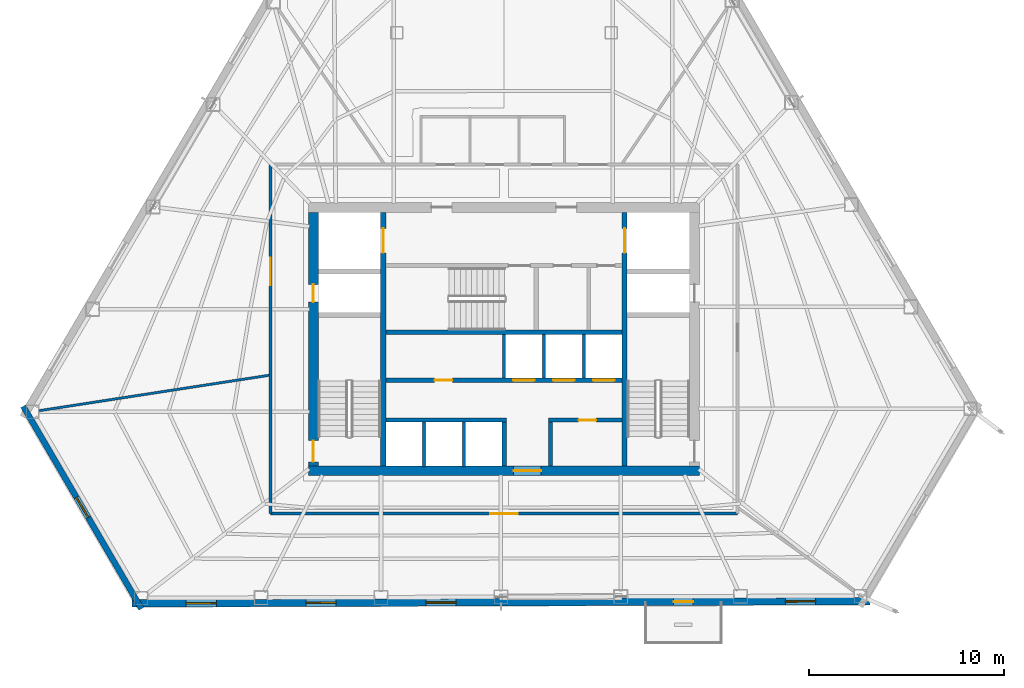
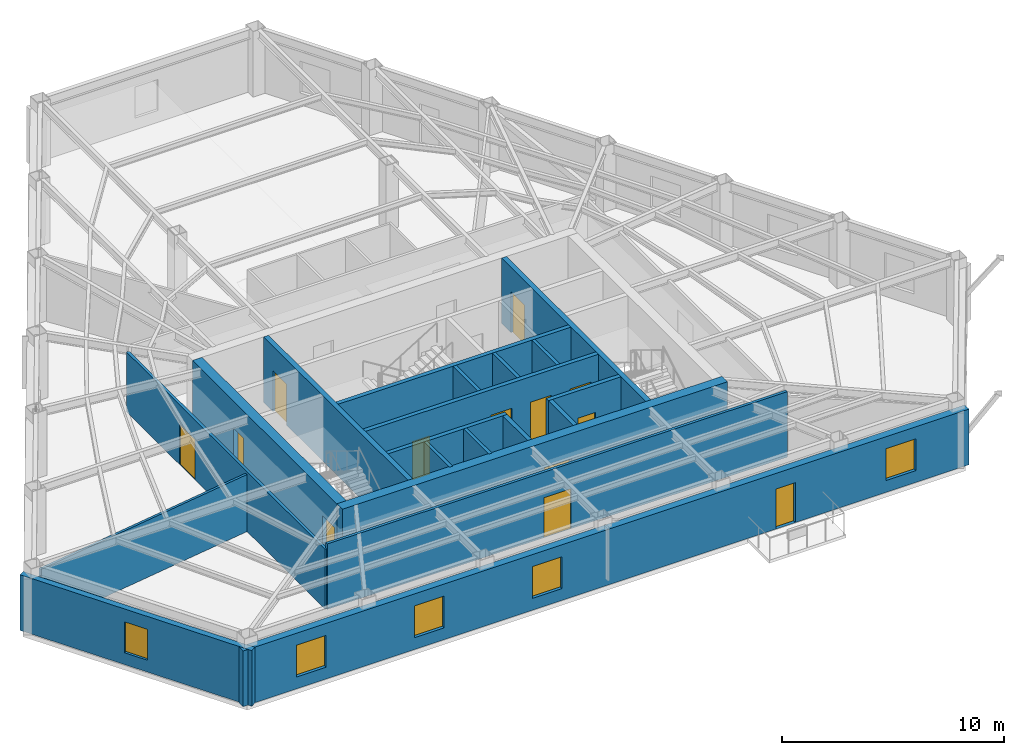
# One storey, part 6 of 10: 20 walls, 13 doors, 5 windows, 18 openings.
"""IFC4 building model written with IfcOpenShell, lengths in metres."""

from ifc_helpers import new_model, si_unit, direction, frame, frame_2d, origin, place, context, subcontext, project, spatial, rectangle, extrude, material, layer, layer_set, type_object, element, fill, save


model = new_model("IFC4")

# Units and contexts
model_context = context("Model", 3, precision=1e-05, world=origin(), true_north=direction((0.0, 1.0)))
body_context = subcontext(model_context, "Body", "Model", "MODEL_VIEW")
ifc_project = project(units=[si_unit("LENGTHUNIT", "METRE"), si_unit("AREAUNIT", "SQUARE_METRE"), si_unit("VOLUMEUNIT", "CUBIC_METRE"), si_unit("PLANEANGLEUNIT", "RADIAN"), si_unit("MASSUNIT", "GRAM", prefix="KILO")], contexts=[model_context])

# Site, building, storey
site_placement = place(None, origin())
site = spatial("IfcSite", under=ifc_project, at=site_placement, CompositionType="ELEMENT")
building_placement = place(site_placement, origin())
building = spatial("IfcBuilding", under=site, at=building_placement, Name="Kavelnor Concourse Tower", CompositionType="ELEMENT")
storey_placement = place(building_placement, frame((0.0, 0.0, 135.550048828125)))
storey = spatial("IfcBuildingStorey", under=building, at=storey_placement, Name="L34", CompositionType="ELEMENT", Elevation=135.550048828125)

# Wall, opening, door
ifc_material_1 = material(Name="Concrete C60/75", Category="concrete")
ifc_layer_1 = layer(ifc_material_1, 0.5, Name="Concrete C60/75")
ifc_layer_set_1 = layer_set([ifc_layer_1], Name="Concrete C60/75")
wall_type_1 = type_object("IfcWallType", Name="WL-CORE-Z2-500", PredefinedType="SOLIDWALL", material=ifc_layer_set_1)
wall_1_placement = place(storey_placement, frame((27.97998046875, 9.35009765625, 0.0), z_axis=(0.0, 0.0, 1.0), x_axis=(1.0, 0.0, 0.0)))
wall_1 = element("IfcWall", 1, at=wall_1_placement, inside=storey, type_object=wall_type_1, Name="L34 Central Core South Shear Wall", PredefinedType="SOLIDWALL", context=body_context, shape_type="SweptSolid", body=[
    extrude(rectangle(XDim=20.0400390625, YDim=0.5, at=frame_2d((10.02001953125, 0.0))), origin(), (0.0, 0.0, 1.0), 3.599853515625),
])
opening_1_placement = place(wall_1_placement, frame((10.52001953125, 0.0, 0.0)))
opening_1 = element("IfcOpeningElement", 2, at=opening_1_placement, cuts=wall_1, Name="Opening SD-140", PredefinedType="OPENING", context=body_context, shape_type="SweptSolid", body=[
    extrude(rectangle(XDim=1.39990234375, YDim=2.199951171875, at=frame_2d((0.699951171875, 1.10009765625))), frame((0.0, 0.260009765625, 0.0), z_axis=(0.0, -1.0, 0.0), x_axis=(1.0, 0.0, 0.0)), (0.0, 0.0, 1.0), 0.52001953125),
])
ifc_material_2 = material(Name="Solid-core hardwood timber", Category="wood")
door_type_1 = type_object("IfcDoorType", Name="DR-SUITE-ENTRY-1400", OperationType="NOTDEFINED", PredefinedType="DOOR", material=ifc_material_2)
door_1_placement = place(opening_1_placement, origin())
door_1 = element("IfcDoor", 3, at=door_1_placement, inside=storey, type_object=door_type_1, Name="L34 Passenger Lift Lobby Entry Door", OperationType="SINGLE_SWING_LEFT", OverallHeight=2.199951171875, OverallWidth=1.39990234375, PredefinedType="DOOR", context=body_context, shape_type="SweptSolid", body=[
    extrude(rectangle(XDim=1.39990234375, YDim=2.199951171875, at=frame_2d((0.699951171875, 1.10009765625))), frame((0.0, 0.02490234375, 0.0), z_axis=(0.0, -1.0, 0.0), x_axis=(1.0, 0.0, 0.0)), (0.0, 0.0, 1.0), 0.050048828125),
])
fill(opening_1, door_1)

# Wall, openings, doors
wall_2_placement = place(storey_placement, frame((28.22998046875, 9.60009765625, 0.0), z_axis=(0.0, 0.0, 1.0), x_axis=(0.0, 1.0, 0.0)))
wall_2 = element("IfcWall", 4, at=wall_2_placement, inside=storey, type_object=wall_type_1, Name="L34 Central Core West Shear Wall", PredefinedType="SOLIDWALL", context=body_context, shape_type="SweptSolid", body=[
    extrude(rectangle(XDim=13.0, YDim=0.5, at=frame_2d((6.5, 0.0))), origin(), (0.0, 0.0, 1.0), 3.599853515625),
])
opening_2_placement = place(wall_2_placement, frame((0.199951171875, 0.0, 0.0)))
opening_2 = element("IfcOpeningElement", 5, at=opening_2_placement, cuts=wall_2, Name="Opening FD-110", PredefinedType="OPENING", context=body_context, shape_type="SweptSolid", body=[
    extrude(rectangle(XDim=1.10009765625, YDim=2.14990234375, at=frame_2d((0.550048828125, 1.074951171875))), frame((0.0, 0.260009765625, 0.0), z_axis=(0.0, -1.0, 0.0), x_axis=(1.0, 0.0, 0.0)), (0.0, 0.0, 1.0), 0.52001953125),
])
opening_3_placement = place(wall_2_placement, frame((8.39990234375, 0.0, 0.0)))
opening_3 = element("IfcOpeningElement", 6, at=opening_3_placement, cuts=wall_2, Name="Opening FD-090", PredefinedType="OPENING", context=body_context, shape_type="SweptSolid", body=[
    extrude(rectangle(XDim=0.89990234375, YDim=2.10009765625, at=frame_2d((0.449951171875, 1.050048828125))), frame((0.0, 0.260009765625, 0.0), z_axis=(0.0, -1.0, 0.0), x_axis=(1.0, 0.0, 0.0)), (0.0, 0.0, 1.0), 0.52001953125),
])
ifc_material_3 = material(Name="Steel Grade 350", Category="steel")
door_type_2 = type_object("IfcDoorType", Name="DR-RISER-FIRE-900", OperationType="NOTDEFINED", PredefinedType="DOOR", material=ifc_material_3)
door_2_placement = place(opening_3_placement, origin())
door_2 = element("IfcDoor", 7, at=door_2_placement, inside=storey, type_object=door_type_2, Name="L34 West Riser Access Door", OperationType="SINGLE_SWING_RIGHT", OverallHeight=2.10009765625, OverallWidth=0.89990234375, PredefinedType="DOOR", context=body_context, shape_type="SweptSolid", body=[
    extrude(rectangle(XDim=0.89990234375, YDim=2.10009765625, at=frame_2d((0.449951171875, 1.050048828125))), frame((0.0, 0.02490234375, 0.0), z_axis=(0.0, -1.0, 0.0), x_axis=(1.0, 0.0, 0.0)), (0.0, 0.0, 1.0), 0.050048828125),
])
fill(opening_3, door_2)
door_type_3 = type_object("IfcDoorType", Name="DR-STAIR-FIRE-1100", OperationType="NOTDEFINED", PredefinedType="DOOR", material=ifc_material_3)
door_3_placement = place(opening_2_placement, origin())
door_3 = element("IfcDoor", 8, at=door_3_placement, inside=storey, type_object=door_type_3, Name="L34 Stair ST1 Fire Door", OperationType="SINGLE_SWING_LEFT", OverallHeight=2.14990234375, OverallWidth=1.10009765625, PredefinedType="DOOR", context=body_context, shape_type="SweptSolid", body=[
    extrude(rectangle(XDim=1.10009765625, YDim=2.14990234375, at=frame_2d((0.550048828125, 1.074951171875))), frame((0.0, 0.02490234375, 0.0), z_axis=(0.0, -1.0, 0.0), x_axis=(1.0, 0.0, 0.0)), (0.0, 0.0, 1.0), 0.050048828125),
])
fill(opening_2, door_3)

# Wall, opening, window
ifc_material_4 = material(Name="Buff ironspot clay face brick masonry", Category="masonry")
ifc_layer_2 = layer(ifc_material_4, 0.300048828125, Name="Buff ironspot clay face brick masonry")
ifc_layer_set_2 = layer_set([ifc_layer_2], Name="Buff ironspot clay face brick masonry")
wall_type_2 = type_object("IfcWallType", Name="WL-EXT-BUFF-BRICK-FOLD-300", PredefinedType="STANDARD", material=ifc_layer_set_2)
wall_3_placement = place(storey_placement, frame((19.4111328125, 2.271484375, 0.0), z_axis=(0.0, 0.0, 1.0), x_axis=(-0.504147492574, 0.863617569142, 0.0)))
wall_3 = element("IfcWall", 9, at=wall_3_placement, inside=storey, type_object=wall_type_2, Name="L34 Exterior Brick Facade Wall E2", PredefinedType="STANDARD", context=body_context, shape_type="SweptSolid", body=[
    extrude(rectangle(XDim=12.023193359375, YDim=0.300048828125, at=frame_2d((6.01171875, 0.0))), origin(), (0.0, 0.0, 1.0), 3.058837890625),
])
opening_4_placement = place(wall_3_placement, frame((5.411865234375, 0.0, 0.64990234375)))
opening_4 = element("IfcOpeningElement", 10, at=opening_4_placement, cuts=wall_3, Name="Opening W-05", PredefinedType="OPENING", context=body_context, shape_type="SweptSolid", body=[
    extrude(rectangle(XDim=1.199951171875, YDim=1.699951171875, at=frame_2d((0.60009765625, 0.85009765625))), frame((0.0, 0.16015625, 0.0), z_axis=(0.0, -1.0, 0.0), x_axis=(1.0, 0.0, 0.0)), (0.0, 0.0, 1.0), 0.320068359375),
])
ifc_material_5 = material(Name="Double low-E argon insulated glazing", Category="glass")
window_type_1 = type_object("IfcWindowType", Name="WIN-FOLD-1200", PartitioningType="SINGLE_PANEL", PredefinedType="WINDOW", material=ifc_material_5)
window_1_placement = place(opening_4_placement, origin())
window_1 = element("IfcWindow", 11, at=window_1_placement, inside=storey, type_object=window_type_1, Name="L34 Chamfer-Fold Facet Window C1", OverallHeight=1.699951171875, OverallWidth=1.199951171875, PartitioningType="SINGLE_PANEL", PredefinedType="WINDOW", context=body_context, shape_type="SweptSolid", body=[
    extrude(rectangle(XDim=1.199951171875, YDim=1.699951171875, at=frame_2d((0.60009765625, 0.85009765625))), frame((0.0, 0.030029296875, 0.0), z_axis=(0.0, -1.0, 0.0), x_axis=(1.0, 0.0, 0.0)), (0.0, 0.0, 1.0), 0.06005859375),
])
fill(opening_4, window_1)

# Wall, openings, door, windows
ifc_material_6 = material(Name="Red-ochre clay face brick masonry", Category="masonry")
ifc_layer_3 = layer(ifc_material_6, 0.3798828125, Name="Red-ochre clay face brick masonry")
ifc_layer_set_3 = layer_set([ifc_layer_3], Name="Red-ochre clay face brick masonry")
wall_type_3 = type_object("IfcWallType", Name="WL-EXT-RED-BRICK-PIER-380", PredefinedType="STANDARD", material=ifc_layer_set_3)
wall_4_placement = place(storey_placement, frame((56.755859375, 2.660400390625, 0.0), z_axis=(0.0, 0.0, 1.0), x_axis=(-0.999995554523, -0.002981766906, 0.0)))
wall_4 = element("IfcWall", 12, at=wall_4_placement, inside=storey, type_object=wall_type_3, Name="L34 Exterior Brick Facade Wall E3", PredefinedType="STANDARD", context=body_context, shape_type="SweptSolid", body=[
    extrude(rectangle(XDim=37.82763671875, YDim=0.3798828125, at=frame_2d((18.913818359375, 0.0))), origin(), (0.0, 0.0, 1.0), 3.058837890625),
])
opening_5_placement = place(wall_4_placement, frame((9.056884765625, 0.0, 0.0)))
opening_5 = element("IfcOpeningElement", 13, at=opening_5_placement, cuts=wall_4, Name="Opening BD-100", PredefinedType="OPENING", context=body_context, shape_type="SweptSolid", body=[
    extrude(rectangle(XDim=1.0, YDim=2.199951171875, at=frame_2d((0.5, 1.10009765625))), frame((0.0, 0.199951171875, 0.0), z_axis=(0.0, -1.0, 0.0), x_axis=(1.0, 0.0, 0.0)), (0.0, 0.0, 1.0), 0.39990234375),
])
opening_6_placement = place(wall_4_placement, frame((33.5029296875, 0.0, 0.64990234375)))
opening_6 = element("IfcOpeningElement", 14, at=opening_6_placement, cuts=wall_4, Name="Opening W-02", PredefinedType="OPENING", context=body_context, shape_type="SweptSolid", body=[
    extrude(rectangle(XDim=1.550048828125, YDim=1.75, at=frame_2d((0.77490234375, 0.875))), frame((0.0, 0.199951171875, 0.0), z_axis=(0.0, -1.0, 0.0), x_axis=(1.0, 0.0, 0.0)), (0.0, 0.0, 1.0), 0.39990234375),
])
opening_7_placement = place(wall_4_placement, frame((27.356689453125, 0.0, 0.64990234375)))
opening_7 = element("IfcOpeningElement", 15, at=opening_7_placement, cuts=wall_4, Name="Opening W-02", PredefinedType="OPENING", context=body_context, shape_type="SweptSolid", body=[
    extrude(rectangle(XDim=1.550048828125, YDim=1.75, at=frame_2d((0.77490234375, 0.875))), frame((0.0, 0.199951171875, 0.0), z_axis=(0.0, -1.0, 0.0), x_axis=(1.0, 0.0, 0.0)), (0.0, 0.0, 1.0), 0.39990234375),
])
opening_8_placement = place(wall_4_placement, frame((21.210693359375, 0.0, 0.64990234375)))
opening_8 = element("IfcOpeningElement", 16, at=opening_8_placement, cuts=wall_4, Name="Opening W-02", PredefinedType="OPENING", context=body_context, shape_type="SweptSolid", body=[
    extrude(rectangle(XDim=1.550048828125, YDim=1.75, at=frame_2d((0.77490234375, 0.875))), frame((0.0, 0.199951171875, 0.0), z_axis=(0.0, -1.0, 0.0), x_axis=(1.0, 0.0, 0.0)), (0.0, 0.0, 1.0), 0.39990234375),
])
opening_9_placement = place(wall_4_placement, frame((2.771728515625, 0.0, 0.64990234375)))
opening_9 = element("IfcOpeningElement", 17, at=opening_9_placement, cuts=wall_4, Name="Opening W-02", PredefinedType="OPENING", context=body_context, shape_type="SweptSolid", body=[
    extrude(rectangle(XDim=1.550048828125, YDim=1.75, at=frame_2d((0.77490234375, 0.875))), frame((0.0, 0.199951171875, 0.0), z_axis=(0.0, -1.0, 0.0), x_axis=(1.0, 0.0, 0.0)), (0.0, 0.0, 1.0), 0.39990234375),
])
ifc_material_7 = material(Name="Anodised aluminium 6063-T6", Category="aluminium")
door_type_4 = type_object("IfcDoorType", Name="DR-BALCONY-EXT-1000", OperationType="NOTDEFINED", PredefinedType="DOOR", material=ifc_material_7)
door_4_placement = place(opening_5_placement, origin())
door_4 = element("IfcDoor", 18, at=door_4_placement, inside=storey, type_object=door_type_4, Name="L34 Tree Balcony 1 Glazed Door", OperationType="SINGLE_SWING_LEFT", OverallHeight=2.199951171875, OverallWidth=1.0, PredefinedType="DOOR", context=body_context, shape_type="SweptSolid", body=[
    extrude(rectangle(XDim=1.0, YDim=2.199951171875, at=frame_2d((0.5, 1.10009765625))), frame((0.0, 0.02490234375, 0.0), z_axis=(0.0, -1.0, 0.0), x_axis=(1.0, 0.0, 0.0)), (0.0, 0.0, 1.0), 0.050048828125),
])
fill(opening_5, door_4)
window_type_2 = type_object("IfcWindowType", Name="WIN-PIER-Z2-1650", PartitioningType="SINGLE_PANEL", PredefinedType="WINDOW", material=ifc_material_5)
window_2_placement = place(opening_6_placement, origin())
window_2 = element("IfcWindow", 19, at=window_2_placement, inside=storey, type_object=window_type_2, Name="L34 Deep-Set Brick Pier Window F1-B0", OverallHeight=1.75, OverallWidth=1.550048828125, PartitioningType="SINGLE_PANEL", PredefinedType="WINDOW", context=body_context, shape_type="SweptSolid", body=[
    extrude(rectangle(XDim=1.550048828125, YDim=1.75, at=frame_2d((0.77490234375, 0.875))), frame((0.0, 0.030029296875, 0.0), z_axis=(0.0, -1.0, 0.0), x_axis=(1.0, 0.0, 0.0)), (0.0, 0.0, 1.0), 0.06005859375),
])
fill(opening_6, window_2)
window_3_placement = place(opening_7_placement, origin())
window_3 = element("IfcWindow", 20, at=window_3_placement, inside=storey, type_object=window_type_2, Name="L34 Deep-Set Brick Pier Window F1-B1", OverallHeight=1.75, OverallWidth=1.550048828125, PartitioningType="SINGLE_PANEL", PredefinedType="WINDOW", context=body_context, shape_type="SweptSolid", body=[
    extrude(rectangle(XDim=1.550048828125, YDim=1.75, at=frame_2d((0.77490234375, 0.875))), frame((0.0, 0.030029296875, 0.0), z_axis=(0.0, -1.0, 0.0), x_axis=(1.0, 0.0, 0.0)), (0.0, 0.0, 1.0), 0.06005859375),
])
fill(opening_7, window_3)
window_4_placement = place(opening_8_placement, origin())
window_4 = element("IfcWindow", 21, at=window_4_placement, inside=storey, type_object=window_type_2, Name="L34 Deep-Set Brick Pier Window F1-B2", OverallHeight=1.75, OverallWidth=1.550048828125, PartitioningType="SINGLE_PANEL", PredefinedType="WINDOW", context=body_context, shape_type="SweptSolid", body=[
    extrude(rectangle(XDim=1.550048828125, YDim=1.75, at=frame_2d((0.77490234375, 0.875))), frame((0.0, 0.030029296875, 0.0), z_axis=(0.0, -1.0, 0.0), x_axis=(1.0, 0.0, 0.0)), (0.0, 0.0, 1.0), 0.06005859375),
])
fill(opening_8, window_4)
window_5_placement = place(opening_9_placement, origin())
window_5 = element("IfcWindow", 22, at=window_5_placement, inside=storey, type_object=window_type_2, Name="L34 Deep-Set Brick Pier Window F1-B5", OverallHeight=1.75, OverallWidth=1.550048828125, PartitioningType="SINGLE_PANEL", PredefinedType="WINDOW", context=body_context, shape_type="SweptSolid", body=[
    extrude(rectangle(XDim=1.550048828125, YDim=1.75, at=frame_2d((0.77490234375, 0.875))), frame((0.0, 0.030029296875, 0.0), z_axis=(0.0, -1.0, 0.0), x_axis=(1.0, 0.0, 0.0)), (0.0, 0.0, 1.0), 0.06005859375),
])
fill(opening_9, window_5)

# Wall, opening, door
ifc_material_8 = material(Name="Gypsum plasterboard on light-gauge steel studs", Category="steel")
ifc_layer_4 = layer(ifc_material_8, 0.14501953125, Name="Gypsum plasterboard on light-gauge steel studs")
ifc_layer_set_4 = layer_set([ifc_layer_4], Name="Gypsum plasterboard on light-gauge steel studs")
wall_type_4 = type_object("IfcWallType", Name="WL-INT-CORR-145", PredefinedType="PARTITIONING", material=ifc_layer_set_4)
wall_5_placement = place(storey_placement, frame((26.030029296875, 25.050048828125, 0.0), z_axis=(0.0, 0.0, 1.0), x_axis=(0.0, -1.0, 0.0)))
wall_5 = element("IfcWall", 23, at=wall_5_placement, inside=storey, type_object=wall_type_4, Name="L34 Corridor Wall WL-L34-CR-03", PredefinedType="PARTITIONING", context=body_context, shape_type="SweptSolid", body=[
    extrude(rectangle(XDim=17.900146484375, YDim=0.14501953125, at=frame_2d((8.9501953125, 0.0))), origin(), (0.0, 0.0, 1.0), 3.287841796875),
])
opening_10_placement = place(wall_5_placement, frame((4.78857421875, 0.0, 0.0)))
opening_10 = element("IfcOpeningElement", 24, at=opening_10_placement, cuts=wall_5, Name="Opening SD-140", PredefinedType="OPENING", context=body_context, shape_type="SweptSolid", body=[
    extrude(rectangle(XDim=1.39990234375, YDim=2.199951171875, at=frame_2d((0.699951171875, 1.10009765625))), frame((0.0, 0.08251953125, 0.0), z_axis=(0.0, -1.0, 0.0), x_axis=(1.0, 0.0, 0.0)), (0.0, 0.0, 1.0), 0.1650390625),
])
door_5_placement = place(opening_10_placement, origin())
door_5 = element("IfcDoor", 25, at=door_5_placement, inside=storey, type_object=door_type_1, Name="L34 Executive Dining Room 03 Door", OperationType="SINGLE_SWING_RIGHT", OverallHeight=2.199951171875, OverallWidth=1.39990234375, PredefinedType="DOOR", context=body_context, shape_type="SweptSolid", body=[
    extrude(rectangle(XDim=1.39990234375, YDim=2.199951171875, at=frame_2d((0.699951171875, 1.10009765625))), frame((0.0, 0.02490234375, 0.0), z_axis=(0.0, -1.0, 0.0), x_axis=(1.0, 0.0, 0.0)), (0.0, 0.0, 1.0), 0.050048828125),
])
fill(opening_10, door_5)

wall_6_placement = place(storey_placement, frame((26.030029296875, 7.14990234375, 0.0), z_axis=(0.0, 0.0, 1.0), x_axis=(1.0, 0.0, 0.0)))
wall_6 = element("IfcWall", 26, at=wall_6_placement, inside=storey, type_object=wall_type_4, Name="L34 Corridor Wall WL-L34-CR-04", PredefinedType="PARTITIONING", context=body_context, shape_type="SweptSolid", body=[
    extrude(rectangle(XDim=23.93994140625, YDim=0.14501953125, at=frame_2d((11.969970703125, 0.0))), origin(), (0.0, 0.0, 1.0), 3.599853515625),
])
opening_11_placement = place(wall_6_placement, frame((11.27001953125, 0.0, 0.0)))
opening_11 = element("IfcOpeningElement", 27, at=opening_11_placement, cuts=wall_6, Name="Opening SD-140", PredefinedType="OPENING", context=body_context, shape_type="SweptSolid", body=[
    extrude(rectangle(XDim=1.39990234375, YDim=2.199951171875, at=frame_2d((0.699951171875, 1.10009765625))), frame((0.0, 0.08251953125, 0.0), z_axis=(0.0, -1.0, 0.0), x_axis=(1.0, 0.0, 0.0)), (0.0, 0.0, 1.0), 0.1650390625),
])
door_6_placement = place(opening_11_placement, origin())
door_6 = element("IfcDoor", 28, at=door_6_placement, inside=storey, type_object=door_type_1, Name="L34 Client Concierge 04 Door", OperationType="SINGLE_SWING_LEFT", OverallHeight=2.199951171875, OverallWidth=1.39990234375, PredefinedType="DOOR", context=body_context, shape_type="SweptSolid", body=[
    extrude(rectangle(XDim=1.39990234375, YDim=2.199951171875, at=frame_2d((0.699951171875, 1.10009765625))), frame((0.0, 0.02490234375, 0.0), z_axis=(0.0, -1.0, 0.0), x_axis=(1.0, 0.0, 0.0)), (0.0, 0.0, 1.0), 0.050048828125),
])
fill(opening_11, door_6)

# Walls
ifc_layer_5 = layer(ifc_material_8, 0.1650390625, Name="Gypsum plasterboard on light-gauge steel studs")
ifc_layer_set_5 = layer_set([ifc_layer_5], Name="Gypsum plasterboard on light-gauge steel studs")
wall_type_5 = type_object("IfcWallType", Name="WL-INT-FIRE-165", PredefinedType="PARTITIONING", material=ifc_layer_set_5)
for number, where, z_axis, x_axis, name in (
    (29, (33.89990234375, 9.550048828125, 0.0), (0.0, 0.0, 1.0), (0.0, 1.0, 0.0), "L34 Lift Shaft Divider LP7"),
    (30, (35.949951171875, 9.550048828125, 0.0), (0.0, 0.0, 1.0), (0.0, 1.0, 0.0), "L34 Lift Shaft Divider LP8"),
):
    element("IfcWall", number, at=place(storey_placement, frame(where, z_axis=z_axis, x_axis=x_axis)), inside=storey, type_object=wall_type_5, Name=name, PredefinedType="PARTITIONING", context=body_context, shape_type="SweptSolid", body=[
        extrude(rectangle(XDim=2.2900390625, YDim=0.1650390625, at=frame_2d((1.14501953125, 0.0))), origin(), (0.0, 0.0, 1.0), 3.599853515625),
    ])
for number, where, z_axis, x_axis, name in (
    (31, (38.0, 14.10009765625, 0.0), (0.0, 0.0, 1.0), (0.0, 1.0, 0.0), "L34 Reclaimed Core Zone Partition"),
    (32, (40.050048828125, 14.10009765625, 0.0), (0.0, 0.0, 1.0), (0.0, 1.0, 0.0), "L34 Lift Shaft Divider LP4"),
    (33, (42.10009765625, 14.10009765625, 0.0), (0.0, 0.0, 1.0), (0.0, 1.0, 0.0), "L34 Lift Shaft Divider LP5"),
):
    element("IfcWall", number, at=place(storey_placement, frame(where, z_axis=z_axis, x_axis=x_axis)), inside=storey, type_object=wall_type_5, Name=name, PredefinedType="PARTITIONING", context=body_context, shape_type="SweptSolid", body=[
        extrude(rectangle(XDim=2.239990234375, YDim=0.1650390625, at=frame_2d((1.1201171875, 0.0))), origin(), (0.0, 0.0, 1.0), 3.599853515625),
    ])
ifc_layer_6 = layer(ifc_material_8, 0.125, Name="Gypsum plasterboard on light-gauge steel studs")
ifc_layer_set_6 = layer_set([ifc_layer_6], Name="Gypsum plasterboard on light-gauge steel studs")
wall_type_6 = type_object("IfcWallType", Name="WL-INT-SUITE-125", PredefinedType="PARTITIONING", material=ifc_layer_set_6)
wall_7_placement = place(storey_placement, frame((25.949462890625, 14.243408203125, 0.0), z_axis=(0.0, 0.0, 1.0), x_axis=(-0.98834017142, -0.152261963591, 0.0)))
element("IfcWall", 34, at=wall_7_placement, inside=storey, type_object=wall_type_6, Name="L34 Radial Suite Partition 03", PredefinedType="PARTITIONING", context=body_context, shape_type="SweptSolid", body=[
    extrude(rectangle(XDim=11.9150390625, YDim=0.125, at=frame_2d((5.95751953125, 0.0))), origin(), (0.0, 0.0, 1.0), 3.140869140625),
])
ifc_material_9 = material(Name="Concrete C50/60", Category="concrete")
ifc_layer_7 = layer(ifc_material_9, 0.219970703125, Name="Concrete C50/60")
ifc_layer_set_7 = layer_set([ifc_layer_7], Name="Concrete C50/60")
wall_type_7 = type_object("IfcWallType", Name="WL-SHAFT-220", PredefinedType="SOLIDWALL", material=ifc_layer_set_7)
wall_8_placement = place(storey_placement, frame((31.93994140625, 16.449951171875, 0.0), z_axis=(0.0, 0.0, 1.0), x_axis=(1.0, 0.0, 0.0)))
element("IfcWall", 35, at=wall_8_placement, inside=storey, type_object=wall_type_7, Name="L34 Stair ST3 South Core Wall", PredefinedType="SOLIDWALL", context=body_context, shape_type="SweptSolid", body=[
    extrude(rectangle(XDim=12.1201171875, YDim=0.219970703125, at=frame_2d((6.06005859375, 0.0))), origin(), (0.0, 0.0, 1.0), 3.599853515625),
])

# Wall, openings, doors
wall_9_placement = place(storey_placement, frame((31.93994140625, 13.989990234375, 0.0), z_axis=(0.0, 0.0, 1.0), x_axis=(1.0, 0.0, 0.0)))
wall_9 = element("IfcWall", 36, at=wall_9_placement, inside=storey, type_object=wall_type_7, Name="L34 North Lift Row Shaft Wall", PredefinedType="SOLIDWALL", context=body_context, shape_type="SweptSolid", body=[
    extrude(rectangle(XDim=12.1201171875, YDim=0.219970703125, at=frame_2d((6.06005859375, 0.0))), origin(), (0.0, 0.0, 1.0), 3.599853515625),
])
opening_12_placement = place(wall_9_placement, frame((2.510009765625, 0.0, 0.0)))
opening_12 = element("IfcOpeningElement", 37, at=opening_12_placement, cuts=wall_9, Name="Opening FD-090", PredefinedType="OPENING", context=body_context, shape_type="SweptSolid", body=[
    extrude(rectangle(XDim=0.89990234375, YDim=2.10009765625, at=frame_2d((0.449951171875, 1.050048828125))), frame((0.0, 0.1201171875, 0.0), z_axis=(0.0, -1.0, 0.0), x_axis=(1.0, 0.0, 0.0)), (0.0, 0.0, 1.0), 0.239990234375),
])
opening_13_placement = place(wall_9_placement, frame((6.534912109375, 0.0, 0.0)))
opening_13 = element("IfcOpeningElement", 38, at=opening_13_placement, cuts=wall_9, Name="Opening LD-110", PredefinedType="OPENING", context=body_context, shape_type="SweptSolid", body=[
    extrude(rectangle(XDim=1.10009765625, YDim=2.199951171875, at=frame_2d((0.550048828125, 1.10009765625))), frame((0.0, 0.1201171875, 0.0), z_axis=(0.0, -1.0, 0.0), x_axis=(1.0, 0.0, 0.0)), (0.0, 0.0, 1.0), 0.239990234375),
])
opening_14_placement = place(wall_9_placement, frame((8.5849609375, 0.0, 0.0)))
opening_14 = element("IfcOpeningElement", 39, at=opening_14_placement, cuts=wall_9, Name="Opening LD-110", PredefinedType="OPENING", context=body_context, shape_type="SweptSolid", body=[
    extrude(rectangle(XDim=1.10009765625, YDim=2.199951171875, at=frame_2d((0.550048828125, 1.10009765625))), frame((0.0, 0.1201171875, 0.0), z_axis=(0.0, -1.0, 0.0), x_axis=(1.0, 0.0, 0.0)), (0.0, 0.0, 1.0), 0.239990234375),
])
opening_15_placement = place(wall_9_placement, frame((10.635009765625, 0.0, 0.0)))
opening_15 = element("IfcOpeningElement", 40, at=opening_15_placement, cuts=wall_9, Name="Opening LD-110", PredefinedType="OPENING", context=body_context, shape_type="SweptSolid", body=[
    extrude(rectangle(XDim=1.10009765625, YDim=2.199951171875, at=frame_2d((0.550048828125, 1.10009765625))), frame((0.0, 0.1201171875, 0.0), z_axis=(0.0, -1.0, 0.0), x_axis=(1.0, 0.0, 0.0)), (0.0, 0.0, 1.0), 0.239990234375),
])
door_type_5 = type_object("IfcDoorType", Name="DR-LIFT-SLIDING-1100", OperationType="NOTDEFINED", PredefinedType="DOOR", material=ifc_material_3)
door_7_placement = place(opening_13_placement, origin())
door_7 = element("IfcDoor", 41, at=door_7_placement, inside=storey, type_object=door_type_5, Name="L34 Lift LP4 Landing Door", OperationType="DOUBLE_DOOR_SLIDING", OverallHeight=2.199951171875, OverallWidth=1.10009765625, PredefinedType="DOOR", context=body_context, shape_type="SweptSolid", body=[
    extrude(rectangle(XDim=1.10009765625, YDim=2.199951171875, at=frame_2d((0.550048828125, 1.10009765625))), frame((0.0, 0.02490234375, 0.0), z_axis=(0.0, -1.0, 0.0), x_axis=(1.0, 0.0, 0.0)), (0.0, 0.0, 1.0), 0.050048828125),
])
fill(opening_13, door_7)
door_8_placement = place(opening_14_placement, origin())
door_8 = element("IfcDoor", 42, at=door_8_placement, inside=storey, type_object=door_type_5, Name="L34 Lift LP5 Landing Door", OperationType="DOUBLE_DOOR_SLIDING", OverallHeight=2.199951171875, OverallWidth=1.10009765625, PredefinedType="DOOR", context=body_context, shape_type="SweptSolid", body=[
    extrude(rectangle(XDim=1.10009765625, YDim=2.199951171875, at=frame_2d((0.550048828125, 1.10009765625))), frame((0.0, 0.02490234375, 0.0), z_axis=(0.0, -1.0, 0.0), x_axis=(1.0, 0.0, 0.0)), (0.0, 0.0, 1.0), 0.050048828125),
])
fill(opening_14, door_8)
door_9_placement = place(opening_15_placement, origin())
door_9 = element("IfcDoor", 43, at=door_9_placement, inside=storey, type_object=door_type_5, Name="L34 Lift LP6 Landing Door", OperationType="DOUBLE_DOOR_SLIDING", OverallHeight=2.199951171875, OverallWidth=1.10009765625, PredefinedType="DOOR", context=body_context, shape_type="SweptSolid", body=[
    extrude(rectangle(XDim=1.10009765625, YDim=2.199951171875, at=frame_2d((0.550048828125, 1.10009765625))), frame((0.0, 0.02490234375, 0.0), z_axis=(0.0, -1.0, 0.0), x_axis=(1.0, 0.0, 0.0)), (0.0, 0.0, 1.0), 0.050048828125),
])
fill(opening_15, door_9)
door_10_placement = place(opening_12_placement, origin())
door_10 = element("IfcDoor", 44, at=door_10_placement, inside=storey, type_object=door_type_2, Name="L34 Core IT Room Door", OperationType="SINGLE_SWING_LEFT", OverallHeight=2.10009765625, OverallWidth=0.89990234375, PredefinedType="DOOR", context=body_context, shape_type="SweptSolid", body=[
    extrude(rectangle(XDim=0.89990234375, YDim=2.10009765625, at=frame_2d((0.449951171875, 1.050048828125))), frame((0.0, 0.02490234375, 0.0), z_axis=(0.0, -1.0, 0.0), x_axis=(1.0, 0.0, 0.0)), (0.0, 0.0, 1.0), 0.050048828125),
])
fill(opening_12, door_10)

# Wall
wall_10_placement = place(storey_placement, frame((31.93994140625, 11.949951171875, 0.0), z_axis=(0.0, 0.0, 1.0), x_axis=(1.0, 0.0, 0.0)))
element("IfcWall", 45, at=wall_10_placement, inside=storey, type_object=wall_type_7, Name="L34 High-Rise Lift Bank North Wall", PredefinedType="SOLIDWALL", context=body_context, shape_type="SweptSolid", body=[
    extrude(rectangle(XDim=6.18994140625, YDim=0.219970703125, at=frame_2d((3.094970703125, 0.0))), origin(), (0.0, 0.0, 1.0), 3.599853515625),
])

# Wall, opening, door
wall_11_placement = place(storey_placement, frame((40.280029296875, 11.949951171875, 0.0), z_axis=(0.0, 0.0, 1.0), x_axis=(1.0, 0.0, 0.0)))
wall_11 = element("IfcWall", 46, at=wall_11_placement, inside=storey, type_object=wall_type_7, Name="L34 Core South Support North Wall", PredefinedType="SOLIDWALL", context=body_context, shape_type="SweptSolid", body=[
    extrude(rectangle(XDim=3.780029296875, YDim=0.219970703125, at=frame_2d((1.89013671875, 0.0))), origin(), (0.0, 0.0, 1.0), 3.599853515625),
])
opening_16_placement = place(wall_11_placement, frame((1.550048828125, 0.0, 0.0)))
opening_16 = element("IfcOpeningElement", 47, at=opening_16_placement, cuts=wall_11, Name="Opening FD-090", PredefinedType="OPENING", context=body_context, shape_type="SweptSolid", body=[
    extrude(rectangle(XDim=0.89990234375, YDim=2.10009765625, at=frame_2d((0.449951171875, 1.050048828125))), frame((0.0, 0.1201171875, 0.0), z_axis=(0.0, -1.0, 0.0), x_axis=(1.0, 0.0, 0.0)), (0.0, 0.0, 1.0), 0.239990234375),
])
door_11_placement = place(opening_16_placement, origin())
door_11 = element("IfcDoor", 48, at=door_11_placement, inside=storey, type_object=door_type_2, Name="L34 Core Utility Store Door", OperationType="SINGLE_SWING_LEFT", OverallHeight=2.10009765625, OverallWidth=0.89990234375, PredefinedType="DOOR", context=body_context, shape_type="SweptSolid", body=[
    extrude(rectangle(XDim=0.89990234375, YDim=2.10009765625, at=frame_2d((0.449951171875, 1.050048828125))), frame((0.0, 0.02490234375, 0.0), z_axis=(0.0, -1.0, 0.0), x_axis=(1.0, 0.0, 0.0)), (0.0, 0.0, 1.0), 0.050048828125),
])
fill(opening_16, door_11)

# Walls
for number, where, z_axis, x_axis, name in (
    (49, (38.02001953125, 9.60009765625, 0.0), (0.0, 0.0, 1.0), (0.0, 1.0, 0.0), "L34 Lift Lobby Throat West Wall"),
    (50, (40.389892578125, 9.60009765625, 0.0), (0.0, 0.0, 1.0), (0.0, 1.0, 0.0), "L34 Lift Lobby Throat East Wall"),
):
    element("IfcWall", number, at=place(storey_placement, frame(where, z_axis=z_axis, x_axis=x_axis)), inside=storey, type_object=wall_type_7, Name=name, PredefinedType="SOLIDWALL", context=body_context, shape_type="SweptSolid", body=[
        extrude(rectangle(XDim=2.239990234375, YDim=0.219970703125, at=frame_2d((1.1201171875, 0.0))), origin(), (0.0, 0.0, 1.0), 3.599853515625),
    ])

# Wall, opening, door
ifc_layer_8 = layer(ifc_material_9, 0.260009765625, Name="Concrete C50/60")
ifc_layer_set_8 = layer_set([ifc_layer_8], Name="Concrete C50/60")
wall_type_8 = type_object("IfcWallType", Name="WL-SHAFT-260", PredefinedType="SHEAR", material=ifc_layer_set_8)
wall_12_placement = place(storey_placement, frame((31.81005859375, 9.60009765625, 0.0), z_axis=(0.0, 0.0, 1.0), x_axis=(0.0, 1.0, 0.0)))
wall_12 = element("IfcWall", 51, at=wall_12_placement, inside=storey, type_object=wall_type_8, Name="L34 Core West Wing Shear Wall", PredefinedType="SHEAR", context=body_context, shape_type="SweptSolid", body=[
    extrude(rectangle(XDim=13.0, YDim=0.260009765625, at=frame_2d((6.5, 0.0))), origin(), (0.0, 0.0, 1.0), 3.599853515625),
])
opening_17_placement = place(wall_12_placement, frame((10.925048828125, 0.0, 0.0)))
opening_17 = element("IfcOpeningElement", 52, at=opening_17_placement, cuts=wall_12, Name="Opening LD-125", PredefinedType="OPENING", context=body_context, shape_type="SweptSolid", body=[
    extrude(rectangle(XDim=1.25, YDim=2.25, at=frame_2d((0.625, 1.125))), frame((0.0, 0.14013671875, 0.0), z_axis=(0.0, -1.0, 0.0), x_axis=(1.0, 0.0, 0.0)), (0.0, 0.0, 1.0), 0.280029296875),
])
door_type_6 = type_object("IfcDoorType", Name="DR-LIFT-SLIDING-1250", OperationType="NOTDEFINED", PredefinedType="DOOR", material=ifc_material_3)
door_12_placement = place(opening_17_placement, origin())
door_12 = element("IfcDoor", 53, at=door_12_placement, inside=storey, type_object=door_type_6, Name="L34 Emergency Lift FL1 Landing Door", OperationType="DOUBLE_DOOR_SLIDING", OverallHeight=2.25, OverallWidth=1.25, PredefinedType="DOOR", context=body_context, shape_type="SweptSolid", body=[
    extrude(rectangle(XDim=1.25, YDim=2.25, at=frame_2d((0.625, 1.125))), frame((0.0, 0.02490234375, 0.0), z_axis=(0.0, -1.0, 0.0), x_axis=(1.0, 0.0, 0.0)), (0.0, 0.0, 1.0), 0.050048828125),
])
fill(opening_17, door_12)

wall_13_placement = place(storey_placement, frame((44.18994140625, 9.60009765625, 0.0), z_axis=(0.0, 0.0, 1.0), x_axis=(0.0, 1.0, 0.0)))
wall_13 = element("IfcWall", 54, at=wall_13_placement, inside=storey, type_object=wall_type_8, Name="L34 Core East Wing Shear Wall", PredefinedType="SHEAR", context=body_context, shape_type="SweptSolid", body=[
    extrude(rectangle(XDim=13.0, YDim=0.260009765625, at=frame_2d((6.5, 0.0))), origin(), (0.0, 0.0, 1.0), 3.599853515625),
])
opening_18_placement = place(wall_13_placement, frame((10.925048828125, 0.0, 0.0)))
opening_18 = element("IfcOpeningElement", 55, at=opening_18_placement, cuts=wall_13, Name="Opening LD-125", PredefinedType="OPENING", context=body_context, shape_type="SweptSolid", body=[
    extrude(rectangle(XDim=1.25, YDim=2.25, at=frame_2d((0.625, 1.125))), frame((0.0, 0.14013671875, 0.0), z_axis=(0.0, -1.0, 0.0), x_axis=(1.0, 0.0, 0.0)), (0.0, 0.0, 1.0), 0.280029296875),
])
door_13_placement = place(opening_18_placement, origin())
door_13 = element("IfcDoor", 56, at=door_13_placement, inside=storey, type_object=door_type_6, Name="L34 Emergency Lift FL2 Landing Door", OperationType="DOUBLE_DOOR_SLIDING", OverallHeight=2.25, OverallWidth=1.25, PredefinedType="DOOR", context=body_context, shape_type="SweptSolid", body=[
    extrude(rectangle(XDim=1.25, YDim=2.25, at=frame_2d((0.625, 1.125))), frame((0.0, 0.02490234375, 0.0), z_axis=(0.0, -1.0, 0.0), x_axis=(1.0, 0.0, 0.0)), (0.0, 0.0, 1.0), 0.050048828125),
])
fill(opening_18, door_13)

save(model, "model.ifc")
